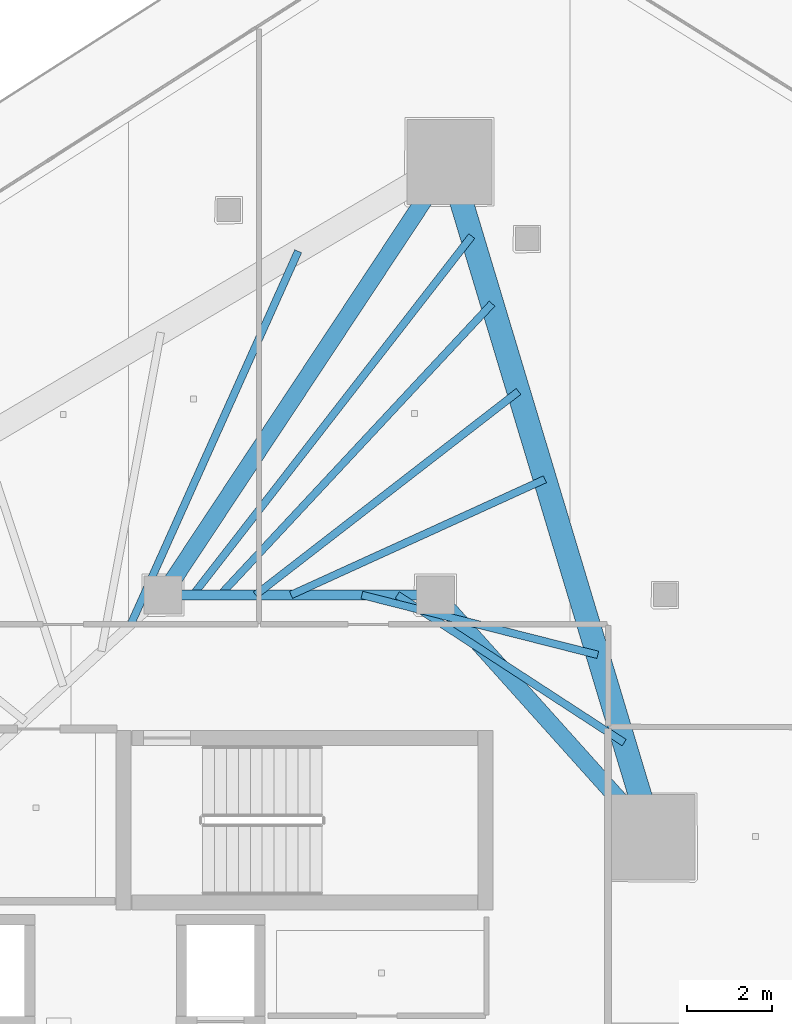
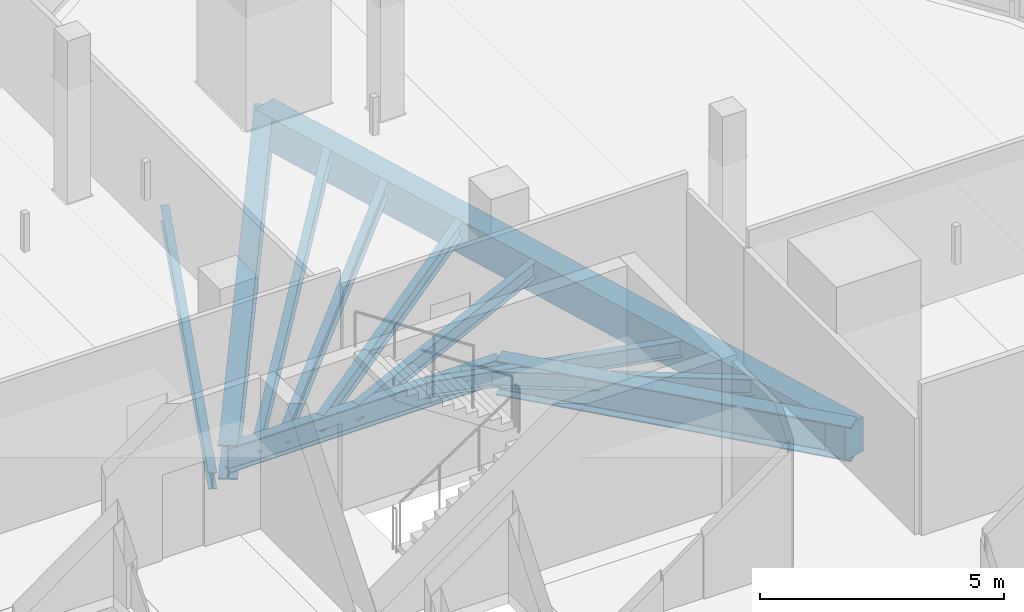
# One storey, part 19 of 36: 11 beams.
"""IFC4 building model written with IfcOpenShell, lengths in metres."""

import ifcopenshell
import ifcopenshell.guid

model = None  # the IFC model being written
_history = None  # IfcOwnerHistory: only IFC2X3 demands one
_inside = {}  # id of a spatial element -> (the spatial element, [elements in it])
_under = {}  # id of a project, library or spatial element -> (it, [spatial elements below it])
_declared = {}  # id of a project -> (the project, [libraries it declares])
_typed = {}  # id of a type object -> (the type object, [elements of that type])
_made_of = {}  # id of a material, layer set ... -> (it, [elements and type objects made of it])


def new_model(schema):
    """Start an empty IFC model of exactly this schema.

    Asked for "IFC4X3", IfcOpenShell would pick the latest addendum, in which some entities
    have other attributes; the version numbers below select the first issue.
    IFC2X3 requires an IfcOwnerHistory on every rooted entity: one is made here for all.
    """
    global model, _history
    if schema == "IFC4X3":
        model = ifcopenshell.file(schema_version=(4, 3, 0, 0))
    else:
        model = ifcopenshell.file(schema=schema)
    _inside.clear()
    _under.clear()
    _declared.clear()
    _typed.clear()
    _made_of.clear()
    _history = None
    if model.schema == "IFC2X3":
        org = make("IfcOrganization", Name="unknown")
        user = make(
            "IfcPersonAndOrganization",
            ThePerson=make("IfcPerson", FamilyName="unknown"),
            TheOrganization=org,
        )
        app = make(
            "IfcApplication",
            ApplicationDeveloper=org,
            Version="unknown",
            ApplicationFullName="unknown",
            ApplicationIdentifier="unknown",
        )
        _history = make(
            "IfcOwnerHistory",
            OwningUser=user,
            OwningApplication=app,
            ChangeAction="ADDED",
            CreationDate=0,
        )
    return model


def make(cls, **values):
    """One entity of the class cls with the attributes given. An attribute that is None is left unset."""
    return model.create_entity(
        cls, **{name: value for name, value in values.items() if value is not None}
    )


def rooted(cls, **values):
    """An entity with a GlobalId (a new one), such as an element, a storey or a relation."""
    return make(cls, GlobalId=ifcopenshell.guid.new(), OwnerHistory=_history, **values)


def si_unit(unit_type, name, prefix=None):
    """IfcSIUnit, for example si_unit("LENGTHUNIT", "METRE", prefix="MILLI")."""
    return make("IfcSIUnit", UnitType=unit_type, Prefix=prefix, Name=name)


def assignment(units):
    """IfcUnitAssignment: the units of a project."""
    return None if units is None else make("IfcUnitAssignment", Units=units)


def point(xyz):
    """IfcCartesianPoint."""
    return None if xyz is None else make("IfcCartesianPoint", Coordinates=xyz)


def direction(xyz):
    """IfcDirection."""
    return None if xyz is None else make("IfcDirection", DirectionRatios=xyz)


def frame(location, z_axis=None, x_axis=None):
    """IfcAxis2Placement3D, a coordinate frame: its origin and axes. An axis left out is left unset."""
    return make(
        "IfcAxis2Placement3D",
        Location=point(location),
        Axis=direction(z_axis),
        RefDirection=direction(x_axis),
    )


def frame_2d(location, x_axis=None):
    """IfcAxis2Placement2D, a coordinate frame in the plane: its origin and x axis."""
    return make(
        "IfcAxis2Placement2D", Location=point(location), RefDirection=direction(x_axis)
    )


def origin():
    """The frame at (0, 0, 0) with its axes left unset."""
    return frame((0.0, 0.0, 0.0))


def origin_2d():
    """The frame at (0, 0) in the plane with its x axis left unset."""
    return frame_2d((0.0, 0.0))


def place(relative_to, where):
    """IfcLocalPlacement: puts the frame where relative to a parent placement (None: the world)."""
    return make(
        "IfcLocalPlacement", PlacementRelTo=relative_to, RelativePlacement=where
    )


def context(
    kind, dimensions, precision=None, world=None, true_north=None, identifier=None
):
    """IfcGeometricRepresentationContext, for example the 3D "Model" context."""
    return make(
        "IfcGeometricRepresentationContext",
        ContextIdentifier=identifier,
        ContextType=kind,
        CoordinateSpaceDimension=dimensions,
        Precision=precision,
        WorldCoordinateSystem=world,
        TrueNorth=true_north,
    )


def subcontext(parent, identifier, kind, view, scale=None):
    """IfcGeometricRepresentationSubContext, for example "Body" below "Model"."""
    return make(
        "IfcGeometricRepresentationSubContext",
        ContextIdentifier=identifier,
        ContextType=kind,
        ParentContext=parent,
        TargetScale=scale,
        TargetView=view,
    )


def project(units=None, contexts=None):
    """IfcProject with its units and contexts."""
    return rooted(
        "IfcProject",
        Name="project",
        RepresentationContexts=contexts,
        UnitsInContext=assignment(units),
    )


def spatial(cls, under=None, at=None, **own):
    """A site, building, storey or space (cls), placed at a placement, below another one or the project."""
    s = rooted(cls, ObjectPlacement=at, **own)
    if under is not None:
        _under.setdefault(under.id(), (under, []))[1].append(s)
    return s


def profile(cls, at=None, kind="AREA", **sizes):
    """A parametric profile (cls). Its sizes go by their IFC names, for example OverallWidth=200.0."""
    return make(cls, ProfileType=kind, Position=at, **sizes)


def rectangle(**sizes):
    """IfcRectangleProfileDef."""
    return profile("IfcRectangleProfileDef", **sizes)


def i_section(**sizes):
    """IfcIShapeProfileDef."""
    return profile("IfcIShapeProfileDef", **sizes)


def extrude(swept, where, along, depth):
    """IfcExtrudedAreaSolid: the profile swept, set in the frame where, extruded along a direction by depth."""
    return make(
        "IfcExtrudedAreaSolid",
        SweptArea=swept,
        Position=where,
        ExtrudedDirection=direction(along),
        Depth=depth,
    )


def shape(context_of_items, identifier, shape_type, items):
    """IfcShapeRepresentation: the items that make up one representation, for example the "Body"."""
    return make(
        "IfcShapeRepresentation",
        ContextOfItems=context_of_items,
        RepresentationIdentifier=identifier,
        RepresentationType=shape_type,
        Items=items,
    )


def material(Name=None, Category=None):
    """IfcMaterial."""
    return make("IfcMaterial", Name=Name, Category=Category)


def material_profile(
    of_material, cross_section, Name=None, Category=None, Priority=None
):
    """IfcMaterialProfile: a cross section and its material."""
    return make(
        "IfcMaterialProfile",
        Name=Name,
        Material=of_material,
        Profile=cross_section,
        Priority=Priority,
        Category=Category,
    )


def profile_set(profiles, Name=None, composite=None):
    """IfcMaterialProfileSet."""
    return make(
        "IfcMaterialProfileSet",
        Name=Name,
        MaterialProfiles=profiles,
        CompositeProfile=composite,
    )


def made_of(thing, what):
    """Note that an element or type object is made of a material, layer set ...; save() writes the relation."""
    if what is not None:
        _made_of.setdefault(what.id(), (what, []))[1].append(thing)
    return thing


def type_object(cls, material=None, **own):
    """A type object (cls), such as IfcWallType, which elements share."""
    return made_of(rooted(cls, **own), material)


def element(
    cls,
    number,
    at=None,
    inside=None,
    cuts=None,
    type_object=None,
    material=None,
    context=None,
    identifier="Body",
    shape_type=None,
    held_by="IfcProductDefinitionShape",
    body=None,
    shapes=None,
    **own,
):
    """One element of the class cls, such as IfcWall. Its Tag is "e" and its number.

    at: its placement. inside: the storey or other place that contains it. cuts: it is an
    opening in that element (IfcRelVoidsElement). A single representation is given by context,
    identifier, shape_type and body (its items); several are given by shapes. held_by: the class
    of the entity that holds the representations. save() writes the other relations.
    """
    e = rooted(cls, Tag="e%d" % number, ObjectPlacement=at, **own)
    if body is not None:
        shapes = [shape(context, identifier, shape_type, body)]
    if shapes is not None:
        e.Representation = make(held_by, Representations=shapes)
    if inside is not None:
        _inside.setdefault(inside.id(), (inside, []))[1].append(e)
    if cuts is not None:
        rooted(
            "IfcRelVoidsElement", RelatingBuildingElement=cuts, RelatedOpeningElement=e
        )
    if type_object is not None:
        _typed.setdefault(type_object.id(), (type_object, []))[1].append(e)
    return made_of(e, material)


def aggregate(whole, parts):
    """IfcRelAggregates: a whole, such as a stair, and the parts it consists of."""
    return rooted("IfcRelAggregates", RelatingObject=whole, RelatedObjects=parts)


def save(model, path):
    """Write the relations noted so far, then the file.

    IfcRelAggregates (storeys below a building ...), IfcRelContainedInSpatialStructure (elements
    in a storey), IfcRelDefinesByType, IfcRelAssociatesMaterial and IfcRelDeclares: one each for
    every whole, place, type object, material and project.
    """
    for whole, parts in _under.values():
        aggregate(whole, parts)
    for where, things in _inside.values():
        rooted(
            "IfcRelContainedInSpatialStructure",
            RelatedElements=things,
            RelatingStructure=where,
        )
    for kind, things in _typed.values():
        rooted("IfcRelDefinesByType", RelatedObjects=things, RelatingType=kind)
    for what, things in _made_of.values():
        rooted("IfcRelAssociatesMaterial", RelatedObjects=things, RelatingMaterial=what)
    for by, libraries in _declared.values():
        rooted("IfcRelDeclares", RelatingContext=by, RelatedDefinitions=libraries)
    model.write(path)


model = new_model("IFC4")

# Units and contexts
model_context = context("Model", 3, precision=1e-05, world=origin(), true_north=direction((0.0, 1.0)))
body_context = subcontext(model_context, "Body", "Model", "MODEL_VIEW")
ifc_project = project(units=[si_unit("LENGTHUNIT", "METRE"), si_unit("AREAUNIT", "SQUARE_METRE"), si_unit("VOLUMEUNIT", "CUBIC_METRE"), si_unit("PLANEANGLEUNIT", "RADIAN"), si_unit("MASSUNIT", "GRAM", prefix="KILO")], contexts=[model_context])

# Site, building, storey
site_placement = place(None, origin())
site = spatial("IfcSite", under=ifc_project, at=site_placement, CompositionType="ELEMENT")
building_placement = place(site_placement, origin())
building = spatial("IfcBuilding", under=site, at=building_placement, Name="Qorvath Tower", CompositionType="ELEMENT")
storey_placement = place(building_placement, frame((0.0, 0.0, 205.050048828125)))
storey = spatial("IfcBuildingStorey", under=building, at=storey_placement, Name="L47", CompositionType="ELEMENT", Elevation=205.050048828125)

# Beams
ifc_material_1 = material(Name="Steel ASTM A992 Grade 50", Category="steel")
ifc_material_profile_1 = material_profile(ifc_material_1, i_section(OverallWidth=0.39892578125, OverallDepth=0.85498046875, WebThickness=0.018310546875, FlangeThickness=0.029296875, FilletRadius=0.02001953125, at=origin_2d()), Name="W33x201")
ifc_profile_set_1 = profile_set([ifc_material_profile_1], Name="Steel ASTM A992 Grade 50")
beam_type_1 = type_object("IfcBeamType", Name="BM-FG2", PredefinedType="BEAM", material=ifc_profile_set_1)
beam_1_placement = place(storey_placement, frame((-23.60009765625, 11.449951171875, -0.697509765625), z_axis=(0.551500517741, 0.834174549439, 0.0), x_axis=(-0.834174549439, 0.551500517741, 0.0)))
element("IfcBeam", 1, at=beam_1_placement, inside=storey, type_object=beam_type_1, Name="Radial Floor Girder CC1-MC6 L47", PredefinedType="BEAM", context=body_context, shape_type="SweptSolid", body=[
    extrude(i_section(OverallWidth=0.39892578125, OverallDepth=0.85498046875, WebThickness=0.018310546875, FlangeThickness=0.029296875, FilletRadius=0.02001953125, at=origin_2d()), origin(), (0.0, 0.0, 1.0), 12.200439453125),
])
beam_2_placement = place(storey_placement, frame((-17.199951171875, 11.449951171875, -0.697509765625), z_axis=(0.667543184261, -0.744571082669, 0.0), x_axis=(0.744571082669, 0.667543184261, 0.0)))
element("IfcBeam", 2, at=beam_2_placement, inside=storey, type_object=beam_type_1, Name="Radial Floor Girder CC2-MC5 L47", PredefinedType="BEAM", context=body_context, shape_type="SweptSolid", body=[
    extrude(i_section(OverallWidth=0.39892578125, OverallDepth=0.85498046875, WebThickness=0.018310546875, FlangeThickness=0.029296875, FilletRadius=0.02001953125, at=origin_2d()), origin(), (0.0, 0.0, 1.0), 7.644775390625),
])
ifc_material_2 = material(Name="Steel ASTM A992 Grade 50", Category="steel")
ifc_material_profile_2 = material_profile(ifc_material_2, i_section(OverallWidth=0.22998046875, OverallDepth=0.616943359375, WebThickness=0.01318359375, FlangeThickness=0.022216796875, FilletRadius=0.014892578125, at=origin_2d()), Name="W24x94")
ifc_profile_set_2 = profile_set([ifc_material_profile_2], Name="Steel ASTM A992 Grade 50")
beam_type_2 = type_object("IfcBeamType", Name="BM-FG6", PredefinedType="BEAM", material=ifc_profile_set_2)
beam_3_placement = place(storey_placement, frame((-23.60009765625, 11.449951171875, -0.57861328125), z_axis=(1.0, 0.0, 0.0), x_axis=(0.0, 1.0, 0.0)))
element("IfcBeam", 3, at=beam_3_placement, inside=storey, type_object=beam_type_2, Name="Core Ring Girder CC1-CC2 L47", PredefinedType="BEAM", context=body_context, shape_type="SweptSolid", body=[
    extrude(i_section(OverallWidth=0.22998046875, OverallDepth=0.616943359375, WebThickness=0.01318359375, FlangeThickness=0.022216796875, FilletRadius=0.014892578125, at=origin_2d()), origin(), (0.0, 0.0, 1.0), 6.400146484375),
])
ifc_material_3 = material(Name="Steel ASTM A992 Grade 50", Category="steel")
ifc_material_profile_3 = material_profile(ifc_material_3, i_section(OverallWidth=0.177978515625, OverallDepth=0.406005859375, WebThickness=0.0078125, FlangeThickness=0.0126953125, FilletRadius=0.010986328125, at=origin_2d()), Name="W16x40")
ifc_profile_set_3 = profile_set([ifc_material_profile_3], Name="Steel ASTM A992 Grade 50")
beam_type_3 = type_object("IfcBeamType", Name="BM-FJ3", PredefinedType="JOIST", material=ifc_profile_set_3)
beam_4_placement = place(storey_placement, frame((-18.095947265625, 11.449951171875, -0.47314453125), z_axis=(0.838041756057, -0.545606098853, 0.0), x_axis=(0.545606098853, 0.838041756057, 0.0)))
element("IfcBeam", 4, at=beam_4_placement, inside=storey, type_object=beam_type_3, Name="Composite Floor Joist NE1 L47", PredefinedType="JOIST", context=body_context, shape_type="SweptSolid", body=[
    extrude(i_section(OverallWidth=0.177978515625, OverallDepth=0.406005859375, WebThickness=0.0078125, FlangeThickness=0.0126953125, FilletRadius=0.010986328125, at=origin_2d()), origin(), (0.0, 0.0, 1.0), 6.36083984375),
])
beam_5_placement = place(storey_placement, frame((-18.927978515625, 11.449951171875, -0.47314453125), z_axis=(0.969231577698, -0.246150662794, 0.0), x_axis=(0.246150662794, 0.969231577698, 0.0)))
element("IfcBeam", 5, at=beam_5_placement, inside=storey, type_object=beam_type_3, Name="Composite Floor Joist NE2 L47", PredefinedType="JOIST", context=body_context, shape_type="SweptSolid", body=[
    extrude(i_section(OverallWidth=0.177978515625, OverallDepth=0.406005859375, WebThickness=0.0078125, FlangeThickness=0.0126953125, FilletRadius=0.010986328125, at=origin_2d()), origin(), (0.0, 0.0, 1.0), 5.718017578125),
])
beam_6_placement = place(storey_placement, frame((-20.592041015625, 11.449951171875, -0.47314453125), z_axis=(0.909945081179, 0.414728765868, 0.0), x_axis=(-0.414728765868, 0.909945081179, 0.0)))
element("IfcBeam", 6, at=beam_6_placement, inside=storey, type_object=beam_type_3, Name="Composite Floor Joist NE4 L47", PredefinedType="JOIST", context=body_context, shape_type="SweptSolid", body=[
    extrude(i_section(OverallWidth=0.177978515625, OverallDepth=0.406005859375, WebThickness=0.0078125, FlangeThickness=0.0126953125, FilletRadius=0.010986328125, at=origin_2d()), origin(), (0.0, 0.0, 1.0), 6.554931640625),
])
beam_7_placement = place(storey_placement, frame((-21.424072265625, 11.449951171875, -0.47314453125), z_axis=(0.790693445503, 0.612212279555, 0.0), x_axis=(-0.612212279555, 0.790693445503, 0.0)))
element("IfcBeam", 7, at=beam_7_placement, inside=storey, type_object=beam_type_3, Name="Composite Floor Joist NE5 L47", PredefinedType="JOIST", context=body_context, shape_type="SweptSolid", body=[
    extrude(i_section(OverallWidth=0.177978515625, OverallDepth=0.406005859375, WebThickness=0.0078125, FlangeThickness=0.0126953125, FilletRadius=0.010986328125, at=origin_2d()), origin(), (0.0, 0.0, 1.0), 7.810546875),
])
beam_8_placement = place(storey_placement, frame((-22.256103515625, 11.449951171875, -0.47314453125), z_axis=(0.682249490937, 0.731119437654, 0.0), x_axis=(-0.731119437654, 0.682249490937, 0.0)))
element("IfcBeam", 8, at=beam_8_placement, inside=storey, type_object=beam_type_3, Name="Composite Floor Joist NE6 L47", PredefinedType="JOIST", context=body_context, shape_type="SweptSolid", body=[
    extrude(i_section(OverallWidth=0.177978515625, OverallDepth=0.406005859375, WebThickness=0.0078125, FlangeThickness=0.0126953125, FilletRadius=0.010986328125, at=origin_2d()), origin(), (0.0, 0.0, 1.0), 9.362060546875),
])
beam_9_placement = place(storey_placement, frame((-22.89599609375, 11.449951171875, -0.47314453125), z_axis=(0.61345131907, 0.789732536452, 0.0), x_axis=(-0.789732536452, 0.61345131907, 0.0)))
element("IfcBeam", 9, at=beam_9_placement, inside=storey, type_object=beam_type_3, Name="Composite Floor Joist NE7 L47", PredefinedType="JOIST", context=body_context, shape_type="SweptSolid", body=[
    extrude(i_section(OverallWidth=0.177978515625, OverallDepth=0.406005859375, WebThickness=0.0078125, FlangeThickness=0.0126953125, FilletRadius=0.010986328125, at=origin_2d()), origin(), (0.0, 0.0, 1.0), 10.676513671875),
])
beam_10_placement = place(storey_placement, frame((-24.35888671875, 10.757080078125, -0.47314453125), z_axis=(0.409327209141, 0.912387656568, 0.0), x_axis=(-0.912387656568, 0.409327209141, 0.0)))
element("IfcBeam", 10, at=beam_10_placement, inside=storey, type_object=beam_type_3, Name="Composite Floor Joist NW7 L47", PredefinedType="JOIST", context=body_context, shape_type="SweptSolid", body=[
    extrude(i_section(OverallWidth=0.177978515625, OverallDepth=0.406005859375, WebThickness=0.0078125, FlangeThickness=0.0126953125, FilletRadius=0.010986328125, at=origin_2d()), origin(), (0.0, 0.0, 1.0), 9.611083984375),
])
ifc_material_4 = material(Name="Concrete C50/60", Category="concrete")
ifc_material_profile_4 = material_profile(ifc_material_4, rectangle(XDim=0.550048828125, YDim=0.85009765625, at=origin_2d()), Name="RCB 850x550")
ifc_profile_set_4 = profile_set([ifc_material_profile_4], Name="Concrete C50/60")
beam_type_4 = type_object("IfcBeamType", Name="BM-RCB2", PredefinedType="SPANDREL", material=ifc_profile_set_4)
beam_11_placement = place(storey_placement, frame((-12.0966796875, 5.7578125, -0.695068359375), z_axis=(-0.28812763802, 0.957592013443, 0.0), x_axis=(-0.957592013443, -0.28812763802, 0.0)))
element("IfcBeam", 11, at=beam_11_placement, inside=storey, type_object=beam_type_4, Name="Perimeter Loggia Frame Beam MC5-MC6 L47", PredefinedType="SPANDREL", context=body_context, shape_type="SweptSolid", body=[
    extrude(rectangle(XDim=0.550048828125, YDim=0.85009765625, at=origin_2d()), origin(), (0.0, 0.0, 1.0), 16.572265625),
])

save(model, "model.ifc")
